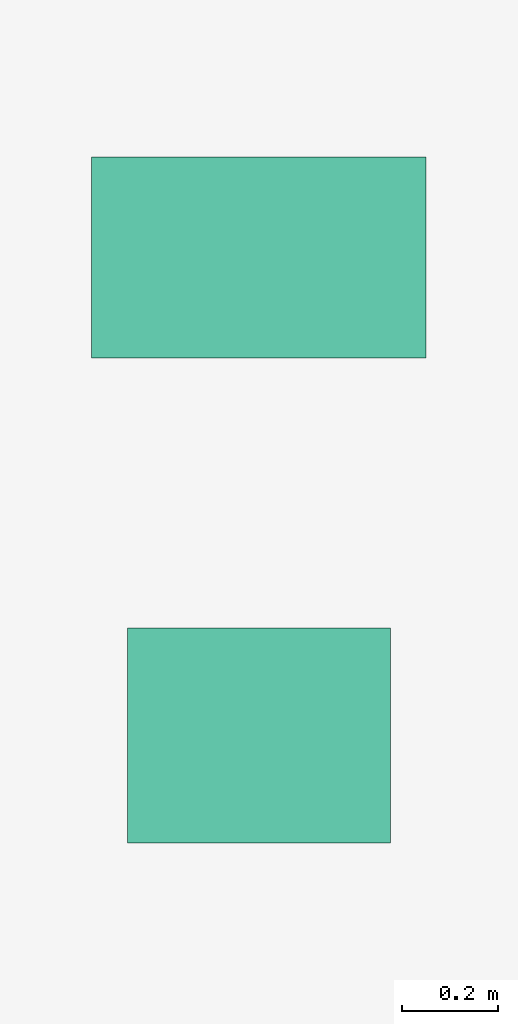
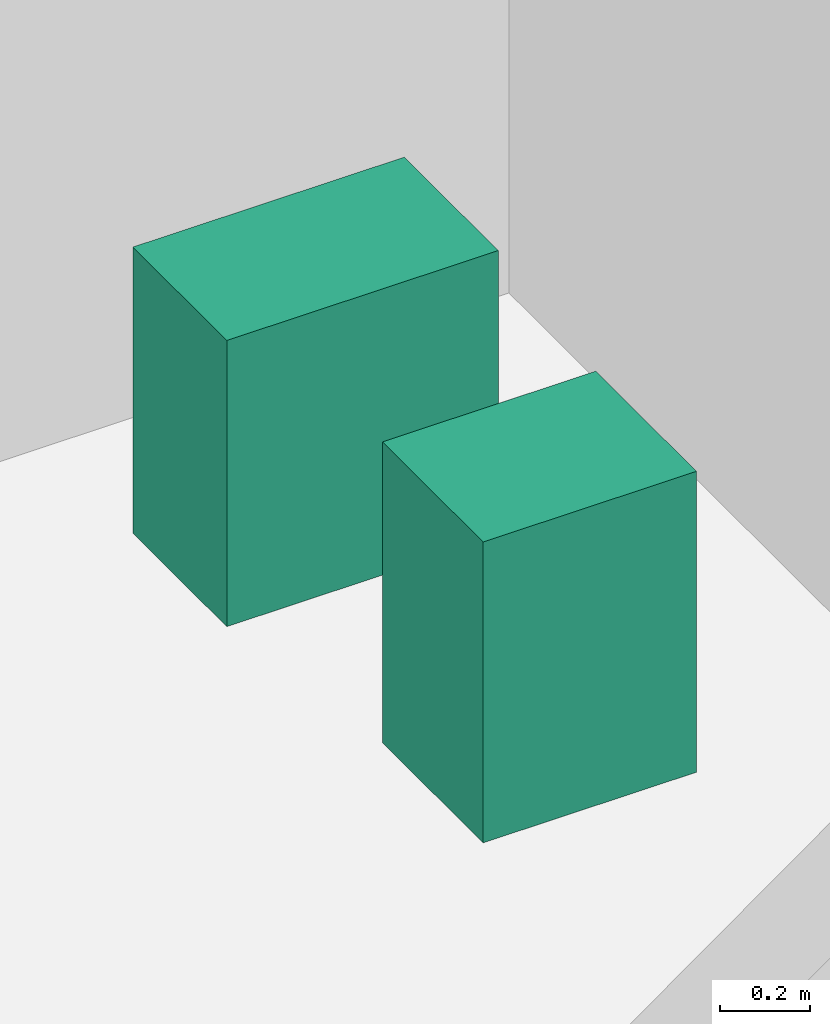
# One storey, part 33 of 33: 2 sanitary terminals.
"""IFC4 building model written with IfcOpenShell, lengths in metres."""

from ifc_helpers import new_model, si_unit, direction, frame, origin, origin_2d, place, context, subcontext, project, spatial, rectangle, extrude, source, transform, mapped, material, type_object, element, save


model = new_model("IFC4")

# Units and contexts
model_context = context("Model", 3, precision=1e-05, world=origin(), true_north=direction((0.0, 1.0)))
body_context = subcontext(model_context, "Body", "Model", "MODEL_VIEW")
ifc_project = project(units=[si_unit("LENGTHUNIT", "METRE"), si_unit("AREAUNIT", "SQUARE_METRE"), si_unit("VOLUMEUNIT", "CUBIC_METRE"), si_unit("PLANEANGLEUNIT", "RADIAN"), si_unit("MASSUNIT", "GRAM", prefix="KILO")], contexts=[model_context])

# Site, building, storey
site_placement = place(None, origin())
site = spatial("IfcSite", under=ifc_project, at=site_placement, CompositionType="ELEMENT")
building_placement = place(site_placement, origin())
building = spatial("IfcBuilding", under=site, at=building_placement, Name="Sumidabori Civic Tower", CompositionType="ELEMENT")
storey_placement = place(building_placement, frame((0.0, 0.0, 38.0)))
storey = spatial("IfcBuildingStorey", under=building, at=storey_placement, Name="L09", CompositionType="ELEMENT", Elevation=38.0)

# Sanitary terminals
ifc_material = material(Name="Vitreous Sanitary Porcelain")
sanitary_terminal_type_1 = type_object("IfcSanitaryTerminalType", Name="SN-WC-1", PredefinedType="TOILETPAN", material=ifc_material)
shared_shape_1 = source(origin(), body_context, "Body", "SweptSolid", [
    extrude(rectangle(XDim=0.699951171875, YDim=0.419921875, at=origin_2d()), origin(), (0.0, 0.0, 1.0), 0.780029296875),
])
sanitary_terminal_1_placement = place(storey_placement, frame((10.800048828125, 21.85009765625, 0.0), z_axis=(0.0, 0.0, 1.0), x_axis=(1.0, 0.0, 0.0)))
element("IfcSanitaryTerminal", 1, at=sanitary_terminal_1_placement, inside=storey, type_object=sanitary_terminal_type_1, Name="Accessible WC Pan L09", PredefinedType="TOILETPAN", context=body_context, shape_type="MappedRepresentation", body=[
    mapped(shared_shape_1, transform((0.0, 0.0, 0.0), x_axis=(1.0, 0.0, 0.0), y_axis=(0.0, 1.0, 0.0), z_axis=(0.0, 0.0, 1.0), scale=1.0)),
])
sanitary_terminal_type_2 = type_object("IfcSanitaryTerminalType", Name="SN-BAS-1", PredefinedType="WASHHANDBASIN", material=ifc_material)
shared_shape_2 = source(origin(), body_context, "Body", "SweptSolid", [
    extrude(rectangle(XDim=0.550048828125, YDim=0.449951171875, at=origin_2d()), origin(), (0.0, 0.0, 1.0), 0.820068359375),
])
sanitary_terminal_2_placement = place(storey_placement, frame((10.800048828125, 20.85009765625, 0.0), z_axis=(0.0, 0.0, 1.0), x_axis=(1.0, 0.0, 0.0)))
element("IfcSanitaryTerminal", 2, at=sanitary_terminal_2_placement, inside=storey, type_object=sanitary_terminal_type_2, Name="Accessible Basin L09", PredefinedType="WASHHANDBASIN", context=body_context, shape_type="MappedRepresentation", body=[
    mapped(shared_shape_2, transform((0.0, 0.0, 0.0), x_axis=(1.0, 0.0, 0.0), y_axis=(0.0, 1.0, 0.0), z_axis=(0.0, 0.0, 1.0), scale=1.0)),
])

save(model, "model.ifc")
